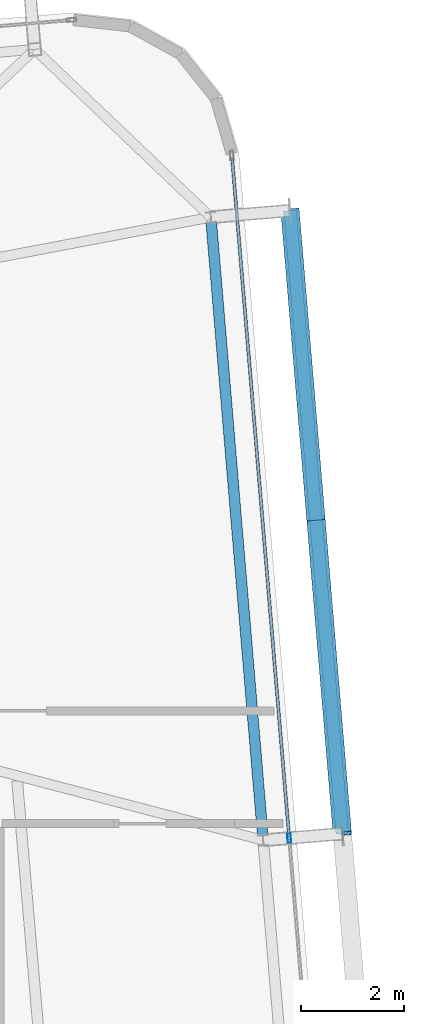
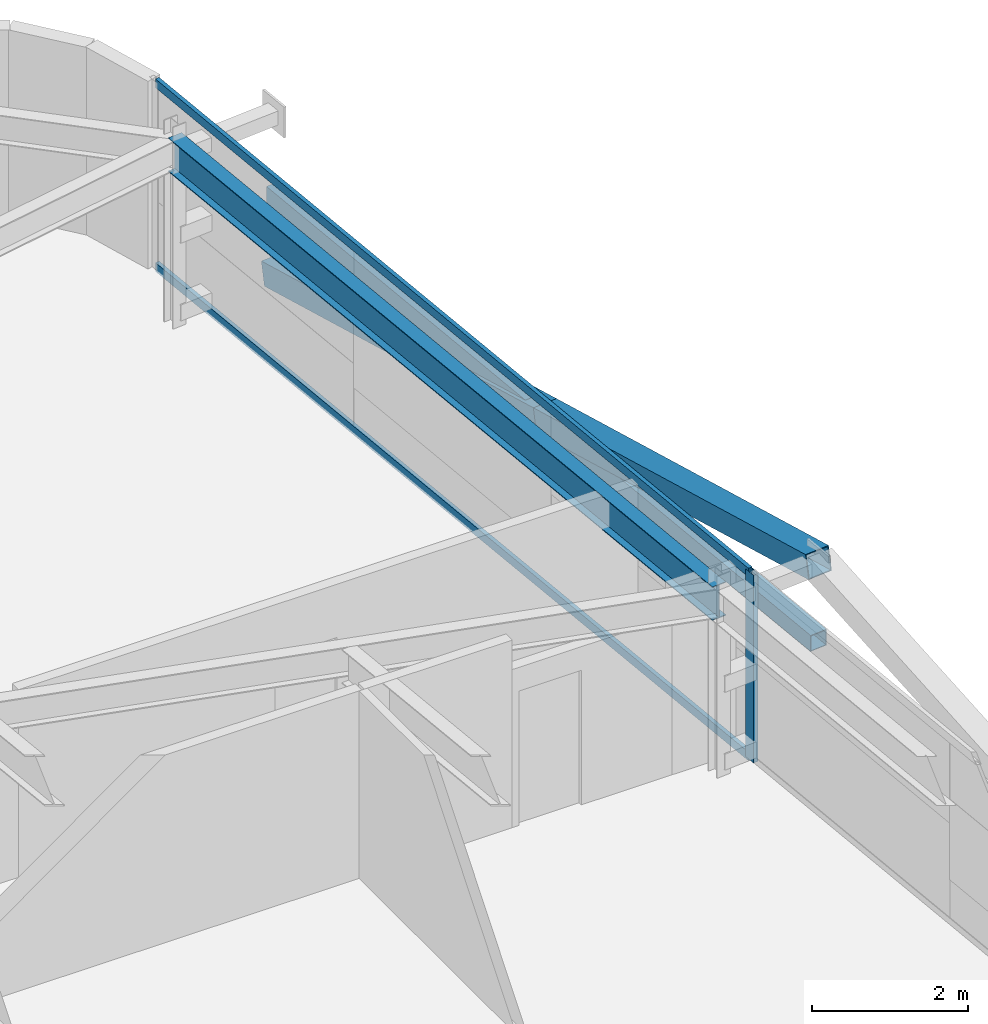
# One storey, part 20 of 37: 6 members, 1 beam, 1 element without a shape of its own.
"""IFC4 building model written with IfcOpenShell, lengths in metres."""

from ifc_helpers import new_model, si_unit, direction, frame, origin, origin_2d, place, context, subcontext, project, spatial, hollow_rectangle, i_section, extrude, source, transform, mapped, material, layer, layer_set, material_profile, profile_set, type_object, element, aggregate, save


model = new_model("IFC4")

# Units and contexts
model_context = context("Model", 3, precision=1e-05, world=origin(), true_north=direction((0.0, 1.0)))
body_context = subcontext(model_context, "Body", "Model", "MODEL_VIEW")
ifc_project = project(units=[si_unit("LENGTHUNIT", "METRE"), si_unit("AREAUNIT", "SQUARE_METRE"), si_unit("VOLUMEUNIT", "CUBIC_METRE"), si_unit("PLANEANGLEUNIT", "RADIAN"), si_unit("MASSUNIT", "GRAM", prefix="KILO")], contexts=[model_context])

# Site, building, storey
site_placement = place(None, origin())
site = spatial("IfcSite", under=ifc_project, at=site_placement, CompositionType="ELEMENT")
building_placement = place(site_placement, origin())
building = spatial("IfcBuilding", under=site, at=building_placement, Name="Taldren Reach Tower", CompositionType="ELEMENT")
storey_placement = place(building_placement, frame((0.0, 0.0, 172.550048828125)))
storey = spatial("IfcBuildingStorey", under=building, at=storey_placement, Name="L52", CompositionType="ELEMENT", Elevation=172.550048828125)

# Beam
ifc_material_1 = material(Name="Steel Gr 350 (350PLUS)", Category="steel")
ifc_material_profile_1 = material_profile(ifc_material_1, i_section(OverallWidth=0.208984375, OverallDepth=0.528076171875, WebThickness=0.009521484375, FlangeThickness=0.01318359375, at=origin_2d()), Name="530UB82.0")
ifc_profile_set_1 = profile_set([ifc_material_profile_1], Name="Steel Gr 350 (350PLUS)")
beam_type = type_object("IfcBeamType", Name="SP-UB530B", PredefinedType="SPANDREL", material=ifc_profile_set_1)
shared_shape_1 = source(origin(), body_context, "Body", "SweptSolid", [
    extrude(i_section(OverallWidth=0.208984375, OverallDepth=0.528076171875, WebThickness=0.009521484375, FlangeThickness=0.01318359375, at=origin_2d()), origin(), (0.0, 0.0, 1.0), 12.199951171875),
])
beam_placement = place(storey_placement, frame((60.6171875, 21.474853515625, 2.666015625), z_axis=(-0.083668166953, 0.99649367175, 0.0), x_axis=(-0.99649367175, -0.083668166953, 0.0)))
element("IfcBeam", 1, at=beam_placement, inside=storey, type_object=beam_type, Name="Perimeter spandrel B4 E2-E3 L52", PredefinedType="SPANDREL", context=body_context, shape_type="MappedRepresentation", body=[
    mapped(shared_shape_1, transform((0.0, 0.0, 0.0), scale=1.0)),
])

# Members
ifc_material_2 = material(Name="Steel Gr 350 (C350L0)", Category="steel")
ifc_material_profile_2 = material_profile(ifc_material_2, hollow_rectangle(XDim=0.25, YDim=0.25, WallThickness=0.010009765625, at=origin_2d()), Name="250x250x10.0SHS")
ifc_profile_set_2 = profile_set([ifc_material_profile_2], Name="Steel Gr 350 (C350L0)")
member_type_1 = type_object("IfcMemberType", Name="MB-POST250", PredefinedType="POST", material=ifc_profile_set_2)
shared_shape_2 = source(origin(), body_context, "Body", "SweptSolid", [
    extrude(hollow_rectangle(XDim=0.25, YDim=0.25, WallThickness=0.010009765625, at=origin_2d()), origin(), (0.0, 0.0, 1.0), 12.199951171875),
])
member_1_placement = place(storey_placement, frame((62.161865234375, 21.6044921875, 1.43505859375), z_axis=(-0.083688038336, 0.996492003099, 0.0), x_axis=(-0.996492003099, -0.083688038336, 0.0)))
element("IfcMember", 2, at=member_1_placement, inside=storey, type_object=member_type_1, Name="Exoskeleton mid-height ring chord B4-E2 L52", PredefinedType="POST", context=body_context, shape_type="MappedRepresentation", body=[
    mapped(shared_shape_2, transform((0.0, 0.0, 0.0), scale=1.0)),
])
ifc_material_3 = material(Name="Steel Gr 450 (C450L0)", Category="steel")
ifc_material_profile_3 = material_profile(ifc_material_3, hollow_rectangle(XDim=0.360107421875, YDim=0.360107421875, WallThickness=0.0126953125, at=origin_2d()), Name="360x360x12.7SHS")
ifc_profile_set_3 = profile_set([ifc_material_profile_3], Name="Steel Gr 450 (C450L0)")
member_type_2 = type_object("IfcMemberType", Name="MB-EXO356", PredefinedType="BRACE", material=ifc_profile_set_3)
shared_shape_3 = source(origin(), body_context, "Body", "SweptSolid", [
    extrude(hollow_rectangle(XDim=0.360107421875, YDim=0.360107421875, WallThickness=0.0126953125, at=origin_2d()), origin(), (0.0, 0.0, 1.0), 6.219970703125),
])
member_2_placement = place(storey_placement, frame((61.140869140625, 33.76171875, 0.219970703125), z_axis=(0.082075564879, -0.977291924611, 0.195356330179), x_axis=(0.996492003099, 0.083688038336, 0.0)))
element("IfcMember", 3, at=member_2_placement, inside=storey, type_object=member_type_2, Name="Exoskeleton Diagrid Brace B4-E2 L52", PredefinedType="BRACE", context=body_context, shape_type="MappedRepresentation", body=[
    mapped(shared_shape_3, transform((0.0, 0.0, 0.0), scale=1.0)),
])
shared_shape_4 = source(origin(), body_context, "Body", "SweptSolid", [
    extrude(hollow_rectangle(XDim=0.360107421875, YDim=0.360107421875, WallThickness=0.0126953125, at=origin_2d()), origin(), (0.0, 0.0, 1.0), 6.2197265625),
])
member_3_placement = place(storey_placement, frame((61.6513671875, 27.68310546875, 1.43505859375), z_axis=(0.082076194186, -0.977299417909, 0.19531857593), x_axis=(0.996492003099, 0.083688038336, 0.0)))
element("IfcMember", 4, at=member_3_placement, inside=storey, type_object=member_type_2, Name="Exoskeleton Diagrid Brace B4-E2 L52", PredefinedType="BRACE", context=body_context, shape_type="MappedRepresentation", body=[
    mapped(shared_shape_4, transform((0.0, 0.0, 0.0), scale=1.0)),
])

# Curtain wall, members
ifc_material_4 = material(Name="Aluminium and Low-E Glass Unitised System", Category="aluminium")
ifc_layer = layer(ifc_material_4, 0.159912109375)
ifc_layer_set = layer_set([ifc_layer], Name="Aluminium and Low-E Glass Unitised System")
curtain_wall_type = type_object("IfcCurtainWallType", Name="CW-SYS-5", PredefinedType="NOTDEFINED", material=ifc_layer_set)
curtain_wall_placement = place(storey_placement, origin())
curtain_wall = element("IfcCurtainWall", 5, at=curtain_wall_placement, inside=storey, type_object=curtain_wall_type, Name="Unitised curtain wall CW-L52-E", PredefinedType="NOTDEFINED")
ifc_material_5 = material(Name="Anodised Aluminium 6063-T6", Category="aluminium")
ifc_material_profile_4 = material_profile(ifc_material_5, hollow_rectangle(XDim=0.070068359375, YDim=0.179931640625, WallThickness=0.00390625, at=origin_2d()), Name="ALU-180x70x4RHS")
ifc_profile_set_4 = profile_set([ifc_material_profile_4], Name="Anodised Aluminium 6063-T6")
member_type_3 = type_object("IfcMemberType", Name="CW-MUL-180", PredefinedType="MULLION", material=ifc_profile_set_4)
shared_shape_5 = source(origin(), body_context, "Body", "SweptSolid", [
    extrude(hollow_rectangle(XDim=0.070068359375, YDim=0.179931640625, WallThickness=0.00390625, at=origin_2d()), origin(), (0.0, 0.0, 1.0), 2.929931640625),
])
member_4_placement = place(storey_placement, frame((61.12548828125, 21.517578125, 0.0), z_axis=(0.0, 0.0, 1.0), x_axis=(-0.996492847789, -0.083677979808, 0.0)))
member_4 = element("IfcMember", 6, at=member_4_placement, type_object=member_type_3, Name="CW-5 mullion 2", PredefinedType="MULLION", context=body_context, shape_type="MappedRepresentation", body=[
    mapped(shared_shape_5, transform((0.0, 0.0, 0.0), scale=1.0)),
])
ifc_material_profile_5 = material_profile(ifc_material_5, hollow_rectangle(XDim=0.06005859375, YDim=0.135009765625, WallThickness=0.00341796875, at=origin_2d()), Name="ALU-135x60x3.5RHS")
ifc_profile_set_5 = profile_set([ifc_material_profile_5], Name="Anodised Aluminium 6063-T6")
member_type_4 = type_object("IfcMemberType", Name="CW-TRN-150", PredefinedType="USERDEFINED", material=ifc_profile_set_5)
shared_shape_6 = source(origin(), body_context, "Body", "SweptSolid", [
    extrude(hollow_rectangle(XDim=0.06005859375, YDim=0.135009765625, WallThickness=0.00341796875, at=origin_2d()), origin(), (0.0, 0.0, 1.0), 13.295166015625),
])
member_5_placement = place(storey_placement, frame((61.12255859375, 21.55224609375, 0.030029296875), z_axis=(-0.083680700004, 0.996492619364, 0.0), x_axis=(-0.996492619364, -0.083680700004, 0.0)))
member_5 = element("IfcMember", 7, at=member_5_placement, type_object=member_type_4, Name="CW-5 transom 2.1", ObjectType="TRANSOM", PredefinedType="USERDEFINED", context=body_context, shape_type="MappedRepresentation", body=[
    mapped(shared_shape_6, transform((0.0, 0.0, 0.0), scale=1.0)),
])
member_6_placement = place(storey_placement, frame((61.12255859375, 21.55224609375, 2.89990234375), z_axis=(-0.083680700004, 0.996492619364, 0.0), x_axis=(-0.996492619364, -0.083680700004, 0.0)))
member_6 = element("IfcMember", 8, at=member_6_placement, type_object=member_type_4, Name="CW-5 transom 2.2", ObjectType="TRANSOM", PredefinedType="USERDEFINED", context=body_context, shape_type="MappedRepresentation", body=[
    mapped(shared_shape_6, transform((0.0, 0.0, 0.0), scale=1.0)),
])
aggregate(curtain_wall, [member_4, member_5, member_6])

save(model, "model.ifc")
